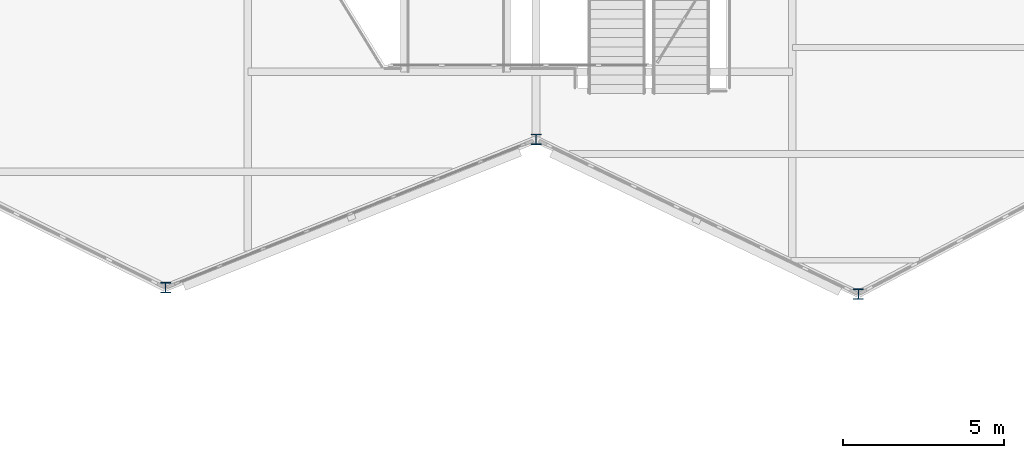
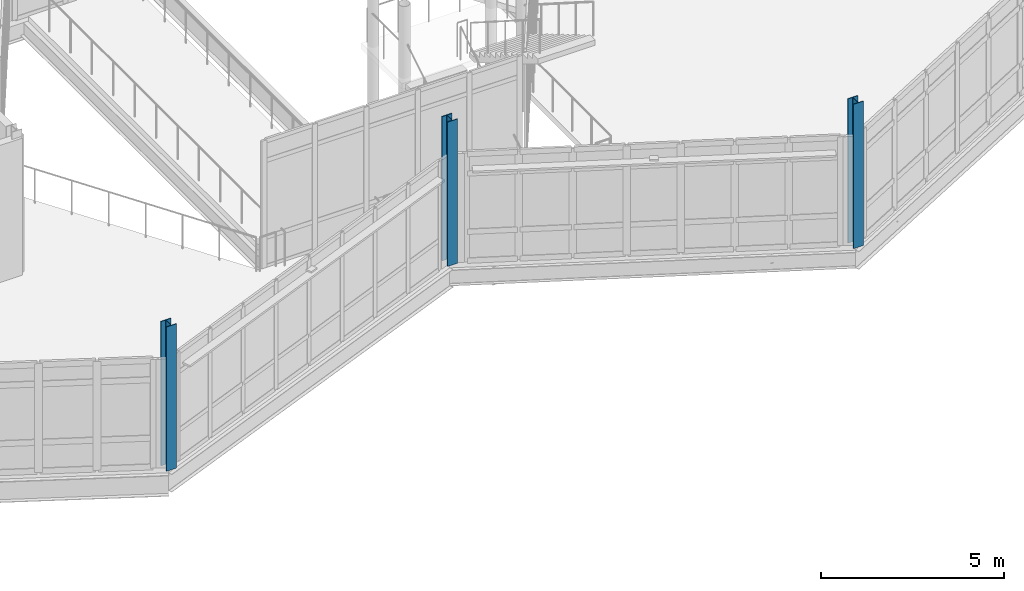
# One storey, part 5 of 114: 3 columns.
"""IFC4 building model written with IfcOpenShell, lengths in metres."""

import ifcopenshell
import ifcopenshell.guid

model = None  # the IFC model being written
_history = None  # IfcOwnerHistory: only IFC2X3 demands one
_inside = {}  # id of a spatial element -> (the spatial element, [elements in it])
_under = {}  # id of a project, library or spatial element -> (it, [spatial elements below it])
_declared = {}  # id of a project -> (the project, [libraries it declares])
_typed = {}  # id of a type object -> (the type object, [elements of that type])
_made_of = {}  # id of a material, layer set ... -> (it, [elements and type objects made of it])


def new_model(schema):
    """Start an empty IFC model of exactly this schema.

    Asked for "IFC4X3", IfcOpenShell would pick the latest addendum, in which some entities
    have other attributes; the version numbers below select the first issue.
    IFC2X3 requires an IfcOwnerHistory on every rooted entity: one is made here for all.
    """
    global model, _history
    if schema == "IFC4X3":
        model = ifcopenshell.file(schema_version=(4, 3, 0, 0))
    else:
        model = ifcopenshell.file(schema=schema)
    _inside.clear()
    _under.clear()
    _declared.clear()
    _typed.clear()
    _made_of.clear()
    _history = None
    if model.schema == "IFC2X3":
        org = make("IfcOrganization", Name="unknown")
        user = make(
            "IfcPersonAndOrganization",
            ThePerson=make("IfcPerson", FamilyName="unknown"),
            TheOrganization=org,
        )
        app = make(
            "IfcApplication",
            ApplicationDeveloper=org,
            Version="unknown",
            ApplicationFullName="unknown",
            ApplicationIdentifier="unknown",
        )
        _history = make(
            "IfcOwnerHistory",
            OwningUser=user,
            OwningApplication=app,
            ChangeAction="ADDED",
            CreationDate=0,
        )
    return model


def make(cls, **values):
    """One entity of the class cls with the attributes given. An attribute that is None is left unset."""
    return model.create_entity(
        cls, **{name: value for name, value in values.items() if value is not None}
    )


def rooted(cls, **values):
    """An entity with a GlobalId (a new one), such as an element, a storey or a relation."""
    return make(cls, GlobalId=ifcopenshell.guid.new(), OwnerHistory=_history, **values)


def si_unit(unit_type, name, prefix=None):
    """IfcSIUnit, for example si_unit("LENGTHUNIT", "METRE", prefix="MILLI")."""
    return make("IfcSIUnit", UnitType=unit_type, Prefix=prefix, Name=name)


def assignment(units):
    """IfcUnitAssignment: the units of a project."""
    return None if units is None else make("IfcUnitAssignment", Units=units)


def point(xyz):
    """IfcCartesianPoint."""
    return None if xyz is None else make("IfcCartesianPoint", Coordinates=xyz)


def direction(xyz):
    """IfcDirection."""
    return None if xyz is None else make("IfcDirection", DirectionRatios=xyz)


def frame(location, z_axis=None, x_axis=None):
    """IfcAxis2Placement3D, a coordinate frame: its origin and axes. An axis left out is left unset."""
    return make(
        "IfcAxis2Placement3D",
        Location=point(location),
        Axis=direction(z_axis),
        RefDirection=direction(x_axis),
    )


def frame_2d(location, x_axis=None):
    """IfcAxis2Placement2D, a coordinate frame in the plane: its origin and x axis."""
    return make(
        "IfcAxis2Placement2D", Location=point(location), RefDirection=direction(x_axis)
    )


def origin():
    """The frame at (0, 0, 0) with its axes left unset."""
    return frame((0.0, 0.0, 0.0))


def origin_2d():
    """The frame at (0, 0) in the plane with its x axis left unset."""
    return frame_2d((0.0, 0.0))


def place(relative_to, where):
    """IfcLocalPlacement: puts the frame where relative to a parent placement (None: the world)."""
    return make(
        "IfcLocalPlacement", PlacementRelTo=relative_to, RelativePlacement=where
    )


def context(
    kind, dimensions, precision=None, world=None, true_north=None, identifier=None
):
    """IfcGeometricRepresentationContext, for example the 3D "Model" context."""
    return make(
        "IfcGeometricRepresentationContext",
        ContextIdentifier=identifier,
        ContextType=kind,
        CoordinateSpaceDimension=dimensions,
        Precision=precision,
        WorldCoordinateSystem=world,
        TrueNorth=true_north,
    )


def subcontext(parent, identifier, kind, view, scale=None):
    """IfcGeometricRepresentationSubContext, for example "Body" below "Model"."""
    return make(
        "IfcGeometricRepresentationSubContext",
        ContextIdentifier=identifier,
        ContextType=kind,
        ParentContext=parent,
        TargetScale=scale,
        TargetView=view,
    )


def project(units=None, contexts=None):
    """IfcProject with its units and contexts."""
    return rooted(
        "IfcProject",
        Name="project",
        RepresentationContexts=contexts,
        UnitsInContext=assignment(units),
    )


def spatial(cls, under=None, at=None, **own):
    """A site, building, storey or space (cls), placed at a placement, below another one or the project."""
    s = rooted(cls, ObjectPlacement=at, **own)
    if under is not None:
        _under.setdefault(under.id(), (under, []))[1].append(s)
    return s


def profile(cls, at=None, kind="AREA", **sizes):
    """A parametric profile (cls). Its sizes go by their IFC names, for example OverallWidth=200.0."""
    return make(cls, ProfileType=kind, Position=at, **sizes)


def i_section(**sizes):
    """IfcIShapeProfileDef."""
    return profile("IfcIShapeProfileDef", **sizes)


def extrude(swept, where, along, depth):
    """IfcExtrudedAreaSolid: the profile swept, set in the frame where, extruded along a direction by depth."""
    return make(
        "IfcExtrudedAreaSolid",
        SweptArea=swept,
        Position=where,
        ExtrudedDirection=direction(along),
        Depth=depth,
    )


def shape(context_of_items, identifier, shape_type, items):
    """IfcShapeRepresentation: the items that make up one representation, for example the "Body"."""
    return make(
        "IfcShapeRepresentation",
        ContextOfItems=context_of_items,
        RepresentationIdentifier=identifier,
        RepresentationType=shape_type,
        Items=items,
    )


def material(Name=None, Category=None):
    """IfcMaterial."""
    return make("IfcMaterial", Name=Name, Category=Category)


def material_profile(
    of_material, cross_section, Name=None, Category=None, Priority=None
):
    """IfcMaterialProfile: a cross section and its material."""
    return make(
        "IfcMaterialProfile",
        Name=Name,
        Material=of_material,
        Profile=cross_section,
        Priority=Priority,
        Category=Category,
    )


def profile_set(profiles, Name=None, composite=None):
    """IfcMaterialProfileSet."""
    return make(
        "IfcMaterialProfileSet",
        Name=Name,
        MaterialProfiles=profiles,
        CompositeProfile=composite,
    )


def made_of(thing, what):
    """Note that an element or type object is made of a material, layer set ...; save() writes the relation."""
    if what is not None:
        _made_of.setdefault(what.id(), (what, []))[1].append(thing)
    return thing


def type_object(cls, material=None, **own):
    """A type object (cls), such as IfcWallType, which elements share."""
    return made_of(rooted(cls, **own), material)


def element(
    cls,
    number,
    at=None,
    inside=None,
    cuts=None,
    type_object=None,
    material=None,
    context=None,
    identifier="Body",
    shape_type=None,
    held_by="IfcProductDefinitionShape",
    body=None,
    shapes=None,
    **own,
):
    """One element of the class cls, such as IfcWall. Its Tag is "e" and its number.

    at: its placement. inside: the storey or other place that contains it. cuts: it is an
    opening in that element (IfcRelVoidsElement). A single representation is given by context,
    identifier, shape_type and body (its items); several are given by shapes. held_by: the class
    of the entity that holds the representations. save() writes the other relations.
    """
    e = rooted(cls, Tag="e%d" % number, ObjectPlacement=at, **own)
    if body is not None:
        shapes = [shape(context, identifier, shape_type, body)]
    if shapes is not None:
        e.Representation = make(held_by, Representations=shapes)
    if inside is not None:
        _inside.setdefault(inside.id(), (inside, []))[1].append(e)
    if cuts is not None:
        rooted(
            "IfcRelVoidsElement", RelatingBuildingElement=cuts, RelatedOpeningElement=e
        )
    if type_object is not None:
        _typed.setdefault(type_object.id(), (type_object, []))[1].append(e)
    return made_of(e, material)


def aggregate(whole, parts):
    """IfcRelAggregates: a whole, such as a stair, and the parts it consists of."""
    return rooted("IfcRelAggregates", RelatingObject=whole, RelatedObjects=parts)


def save(model, path):
    """Write the relations noted so far, then the file.

    IfcRelAggregates (storeys below a building ...), IfcRelContainedInSpatialStructure (elements
    in a storey), IfcRelDefinesByType, IfcRelAssociatesMaterial and IfcRelDeclares: one each for
    every whole, place, type object, material and project.
    """
    for whole, parts in _under.values():
        aggregate(whole, parts)
    for where, things in _inside.values():
        rooted(
            "IfcRelContainedInSpatialStructure",
            RelatedElements=things,
            RelatingStructure=where,
        )
    for kind, things in _typed.values():
        rooted("IfcRelDefinesByType", RelatedObjects=things, RelatingType=kind)
    for what, things in _made_of.values():
        rooted("IfcRelAssociatesMaterial", RelatedObjects=things, RelatingMaterial=what)
    for by, libraries in _declared.values():
        rooted("IfcRelDeclares", RelatingContext=by, RelatedDefinitions=libraries)
    model.write(path)


model = new_model("IFC4")

# Units and contexts
model_context = context("Model", 3, precision=1e-05, world=origin(), true_north=direction((0.0, 1.0)))
body_context = subcontext(model_context, "Body", "Model", "MODEL_VIEW")
ifc_project = project(units=[si_unit("LENGTHUNIT", "METRE"), si_unit("AREAUNIT", "SQUARE_METRE"), si_unit("VOLUMEUNIT", "CUBIC_METRE"), si_unit("PLANEANGLEUNIT", "RADIAN"), si_unit("MASSUNIT", "GRAM", prefix="KILO")], contexts=[model_context])

# Site, building, storey
site_placement = place(None, origin())
site = spatial("IfcSite", under=ifc_project, at=site_placement, CompositionType="ELEMENT")
building_placement = place(site_placement, origin())
building = spatial("IfcBuilding", under=site, at=building_placement, Name="Tameran Prism Museum", CompositionType="ELEMENT")
storey_placement = place(building_placement, frame((0.0, 0.0, 10.199951171875)))
storey = spatial("IfcBuildingStorey", under=building, at=storey_placement, Name="L02", CompositionType="ELEMENT", Elevation=10.199951171875)

# Columns
ifc_material = material(Name="Steel Grade 350 (350 MPa)", Category="steel")
ifc_material_profile = material_profile(ifc_material, i_section(OverallWidth=0.31103515625, OverallDepth=0.326904296875, WebThickness=0.015625, FlangeThickness=0.02490234375, FilletRadius=0.0166015625, at=origin_2d()))
ifc_profile_set = profile_set([ifc_material_profile])
column_type = type_object("IfcColumnType", Name="COL-UC310A", PredefinedType="COLUMN", material=ifc_profile_set)
for number, where, z_axis, x_axis, name in (
    (1, (66.0, 22.800048828125, 0.0), (0.0, 0.0, 1.0), (1.0, 0.0, 0.0), "Column CV-32 L02"),
    (2, (77.5, 27.39990234375, 0.0), (0.0, 0.0, 1.0), (1.0, 0.0, 0.0), "Column CV-34 L02"),
    (3, (87.5, 22.60009765625, 0.0), (0.0, 0.0, 1.0), (1.0, 0.0, 0.0), "Column CV-36 L02"),
):
    element("IfcColumn", number, at=place(storey_placement, frame(where, z_axis=z_axis, x_axis=x_axis)), inside=storey, type_object=column_type, Name=name, PredefinedType="COLUMN", context=body_context, shape_type="SweptSolid", body=[
        extrude(i_section(OverallWidth=0.31103515625, OverallDepth=0.326904296875, WebThickness=0.015625, FlangeThickness=0.02490234375, FilletRadius=0.0166015625, at=origin_2d()), origin(), (0.0, 0.0, 1.0), 4.800048828125),
    ])

save(model, "model.ifc")
